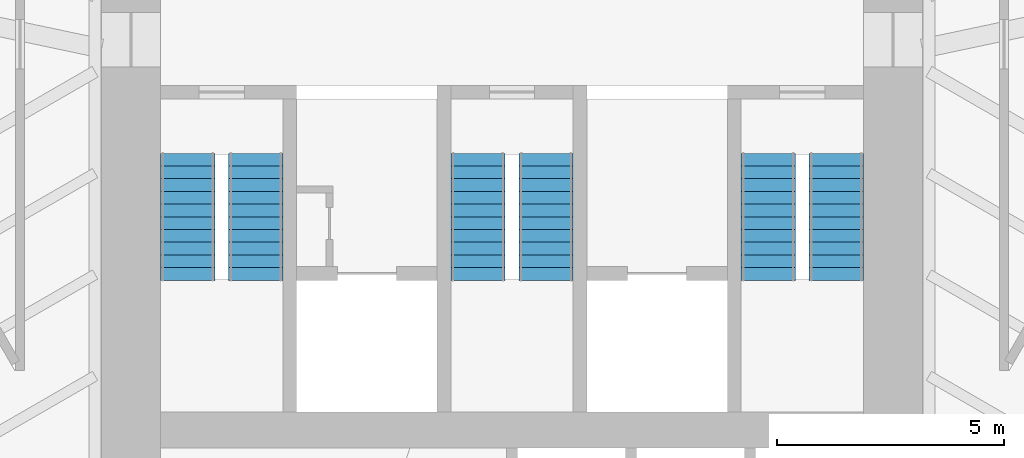
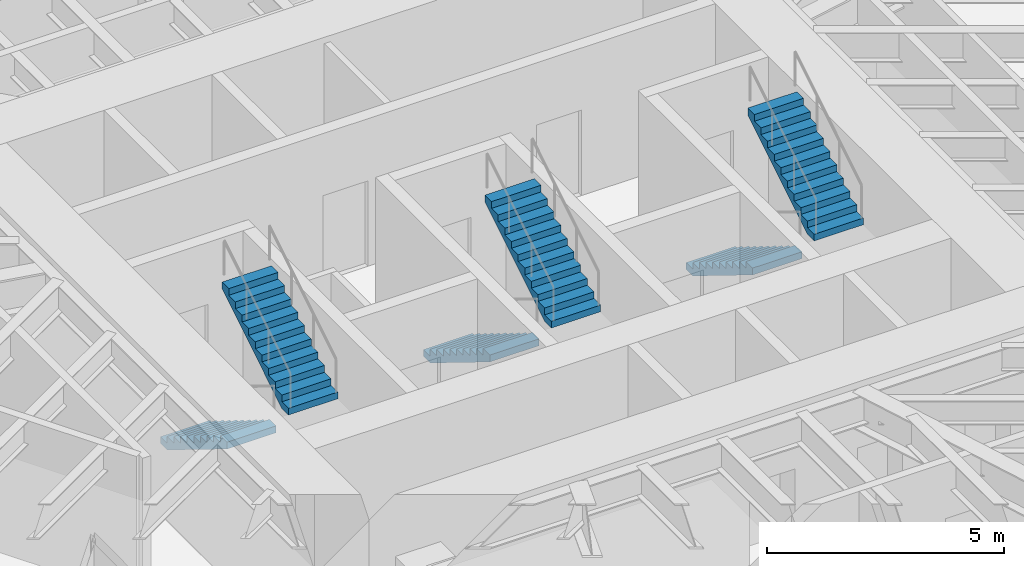
# One storey, part 17 of 18: 6 stair flights, 3 elements without a shape of their own.
"""IFC4 building model written with IfcOpenShell, lengths in metres."""

from ifc_helpers import new_model, si_unit, direction, frame, origin, place, context, subcontext, project, spatial, polyline, outline, extrude, material, type_object, element, aggregate, save


model = new_model("IFC4")

# Units and contexts
model_context = context("Model", 3, precision=1e-05, world=origin(), true_north=direction((0.0, 1.0)))
body_context = subcontext(model_context, "Body", "Model", "MODEL_VIEW")
ifc_project = project(units=[si_unit("LENGTHUNIT", "METRE"), si_unit("AREAUNIT", "SQUARE_METRE"), si_unit("VOLUMEUNIT", "CUBIC_METRE"), si_unit("PLANEANGLEUNIT", "RADIAN"), si_unit("MASSUNIT", "GRAM", prefix="KILO")], contexts=[model_context])

# Site, building, storey
site_placement = place(None, origin())
site = spatial("IfcSite", under=ifc_project, at=site_placement, CompositionType="ELEMENT")
building_placement = place(site_placement, origin())
building = spatial("IfcBuilding", under=site, at=building_placement, Name="Sandreach Pilgrim Tower", CompositionType="ELEMENT")
storey_placement = place(building_placement, frame((0.0, 0.0, 153.800048828125)))
storey = spatial("IfcBuildingStorey", under=building, at=storey_placement, Name="L38", CompositionType="ELEMENT", Elevation=153.800048828125)

# Stair, stair flights
ifc_material_1 = material(Name="Concrete 8000 psi", Category="concrete")
stair_type = type_object("IfcStairType", Name="Core exit stair", PredefinedType="HALF_TURN_STAIR", material=ifc_material_1)
stair_1_placement = place(storey_placement, origin())
stair_1 = element("IfcStair", 1, at=stair_1_placement, inside=storey, type_object=stair_type, Name="Exit stair ST1 L38", PredefinedType="HALF_TURN_STAIR")
ifc_material_2 = material(Name="Concrete 8000 psi", Category="concrete")
stair_flight_type = type_object("IfcStairFlightType", Name="Core stair flight 1200", PredefinedType="STRAIGHT", material=ifc_material_2)
stair_flight_1_placement = place(storey_placement, frame((-7.14990234375, -0.39990234375, 0.0), z_axis=(0.0, 0.0, 1.0), x_axis=(0.0, -1.0, 0.0)))
stair_flight_1 = element("IfcStairFlight", 2, at=stair_flight_1_placement, type_object=stair_flight_type, Name="ST1 flight 1", NumberOfRisers=11, NumberOfTreads=10, PredefinedType="STRAIGHT", RiserHeight=0.172727273, TreadLength=0.28, context=body_context, shape_type="SweptSolid", body=[
    extrude(outline(polyline([(0.0, 0.0), (0.0, 0.172607421875), (0.280029296875, 0.172607421875), (0.280029296875, 0.345458984375), (0.56005859375, 0.345458984375), (0.56005859375, 0.51806640625), (0.840087890625, 0.51806640625), (0.840087890625, 0.69091796875), (1.1201171875, 0.69091796875), (1.1201171875, 0.863525390625), (1.39990234375, 0.863525390625), (1.39990234375, 1.036376953125), (1.679931640625, 1.036376953125), (1.679931640625, 1.208984375), (1.9599609375, 1.208984375), (1.9599609375, 1.3818359375), (2.239990234375, 1.3818359375), (2.239990234375, 1.554443359375), (2.52001953125, 1.554443359375), (2.52001953125, 1.727294921875), (2.800048828125, 1.727294921875), (2.800048828125, 1.89990234375), (2.800048828125, 1.551025390625), (0.285400390625, 0.0), (0.0, 0.0)])), frame((0.0, 0.60009765625, 0.0), z_axis=(0.0, -1.0, 0.0), x_axis=(1.0, 0.0, 0.0)), (0.0, 0.0, 1.0), 1.199951171875),
])
stair_flight_2_placement = place(storey_placement, frame((-5.64990234375, -3.199951171875, 1.89990234375), z_axis=(0.0, 0.0, 1.0), x_axis=(0.0, 1.0, 0.0)))
stair_flight_2 = element("IfcStairFlight", 3, at=stair_flight_2_placement, type_object=stair_flight_type, Name="ST1 flight 2", NumberOfRisers=11, NumberOfTreads=10, PredefinedType="STRAIGHT", RiserHeight=0.172727273, TreadLength=0.28, context=body_context, shape_type="SweptSolid", body=[
    extrude(outline(polyline([(0.0, 0.0), (0.0, 0.172607421875), (0.280029296875, 0.172607421875), (0.280029296875, 0.345458984375), (0.56005859375, 0.345458984375), (0.56005859375, 0.51806640625), (0.840087890625, 0.51806640625), (0.840087890625, 0.69091796875), (1.1201171875, 0.69091796875), (1.1201171875, 0.863525390625), (1.39990234375, 0.863525390625), (1.39990234375, 1.036376953125), (1.679931640625, 1.036376953125), (1.679931640625, 1.208984375), (1.9599609375, 1.208984375), (1.9599609375, 1.3818359375), (2.239990234375, 1.3818359375), (2.239990234375, 1.554443359375), (2.52001953125, 1.554443359375), (2.52001953125, 1.727294921875), (2.800048828125, 1.727294921875), (2.800048828125, 1.89990234375), (2.800048828125, 1.551025390625), (0.285400390625, 0.0), (0.0, 0.0)])), frame((0.0, 0.60009765625, 0.0), z_axis=(0.0, -1.0, 0.0), x_axis=(1.0, 0.0, 0.0)), (0.0, 0.0, 1.0), 1.199951171875),
])
aggregate(stair_1, [stair_flight_1, stair_flight_2])

stair_2_placement = place(storey_placement, origin())
stair_2 = element("IfcStair", 4, at=stair_2_placement, inside=storey, type_object=stair_type, Name="Exit stair ST3 L38", PredefinedType="HALF_TURN_STAIR")
stair_flight_3_placement = place(storey_placement, frame((-0.75, -0.39990234375, 0.0), z_axis=(0.0, 0.0, 1.0), x_axis=(0.0, -1.0, 0.0)))
stair_flight_3 = element("IfcStairFlight", 5, at=stair_flight_3_placement, type_object=stair_flight_type, Name="ST3 flight 1", NumberOfRisers=11, NumberOfTreads=10, PredefinedType="STRAIGHT", RiserHeight=0.172727273, TreadLength=0.28, context=body_context, shape_type="SweptSolid", body=[
    extrude(outline(polyline([(0.0, 0.0), (0.0, 0.172607421875), (0.280029296875, 0.172607421875), (0.280029296875, 0.345458984375), (0.56005859375, 0.345458984375), (0.56005859375, 0.51806640625), (0.840087890625, 0.51806640625), (0.840087890625, 0.69091796875), (1.1201171875, 0.69091796875), (1.1201171875, 0.863525390625), (1.39990234375, 0.863525390625), (1.39990234375, 1.036376953125), (1.679931640625, 1.036376953125), (1.679931640625, 1.208984375), (1.9599609375, 1.208984375), (1.9599609375, 1.3818359375), (2.239990234375, 1.3818359375), (2.239990234375, 1.554443359375), (2.52001953125, 1.554443359375), (2.52001953125, 1.727294921875), (2.800048828125, 1.727294921875), (2.800048828125, 1.89990234375), (2.800048828125, 1.551025390625), (0.285400390625, 0.0), (0.0, 0.0)])), frame((0.0, 0.60009765625, 0.0), z_axis=(0.0, -1.0, 0.0), x_axis=(1.0, 0.0, 0.0)), (0.0, 0.0, 1.0), 1.199951171875),
])
stair_flight_4_placement = place(storey_placement, frame((0.75, -3.199951171875, 1.89990234375), z_axis=(0.0, 0.0, 1.0), x_axis=(0.0, 1.0, 0.0)))
stair_flight_4 = element("IfcStairFlight", 6, at=stair_flight_4_placement, type_object=stair_flight_type, Name="ST3 flight 2", NumberOfRisers=11, NumberOfTreads=10, PredefinedType="STRAIGHT", RiserHeight=0.172727273, TreadLength=0.28, context=body_context, shape_type="SweptSolid", body=[
    extrude(outline(polyline([(0.0, 0.0), (0.0, 0.172607421875), (0.280029296875, 0.172607421875), (0.280029296875, 0.345458984375), (0.56005859375, 0.345458984375), (0.56005859375, 0.51806640625), (0.840087890625, 0.51806640625), (0.840087890625, 0.69091796875), (1.1201171875, 0.69091796875), (1.1201171875, 0.863525390625), (1.39990234375, 0.863525390625), (1.39990234375, 1.036376953125), (1.679931640625, 1.036376953125), (1.679931640625, 1.208984375), (1.9599609375, 1.208984375), (1.9599609375, 1.3818359375), (2.239990234375, 1.3818359375), (2.239990234375, 1.554443359375), (2.52001953125, 1.554443359375), (2.52001953125, 1.727294921875), (2.800048828125, 1.727294921875), (2.800048828125, 1.89990234375), (2.800048828125, 1.551025390625), (0.285400390625, 0.0), (0.0, 0.0)])), frame((0.0, 0.60009765625, 0.0), z_axis=(0.0, -1.0, 0.0), x_axis=(1.0, 0.0, 0.0)), (0.0, 0.0, 1.0), 1.199951171875),
])
aggregate(stair_2, [stair_flight_3, stair_flight_4])

stair_3_placement = place(storey_placement, origin())
stair_3 = element("IfcStair", 7, at=stair_3_placement, inside=storey, type_object=stair_type, Name="Exit stair ST2 L38", PredefinedType="HALF_TURN_STAIR")
stair_flight_5_placement = place(storey_placement, frame((5.64990234375, -0.39990234375, 0.0), z_axis=(0.0, 0.0, 1.0), x_axis=(0.0, -1.0, 0.0)))
stair_flight_5 = element("IfcStairFlight", 8, at=stair_flight_5_placement, type_object=stair_flight_type, Name="ST2 flight 1", NumberOfRisers=11, NumberOfTreads=10, PredefinedType="STRAIGHT", RiserHeight=0.172727273, TreadLength=0.28, context=body_context, shape_type="SweptSolid", body=[
    extrude(outline(polyline([(0.0, 0.0), (0.0, 0.172607421875), (0.280029296875, 0.172607421875), (0.280029296875, 0.345458984375), (0.56005859375, 0.345458984375), (0.56005859375, 0.51806640625), (0.840087890625, 0.51806640625), (0.840087890625, 0.69091796875), (1.1201171875, 0.69091796875), (1.1201171875, 0.863525390625), (1.39990234375, 0.863525390625), (1.39990234375, 1.036376953125), (1.679931640625, 1.036376953125), (1.679931640625, 1.208984375), (1.9599609375, 1.208984375), (1.9599609375, 1.3818359375), (2.239990234375, 1.3818359375), (2.239990234375, 1.554443359375), (2.52001953125, 1.554443359375), (2.52001953125, 1.727294921875), (2.800048828125, 1.727294921875), (2.800048828125, 1.89990234375), (2.800048828125, 1.551025390625), (0.285400390625, 0.0), (0.0, 0.0)])), frame((0.0, 0.60009765625, 0.0), z_axis=(0.0, -1.0, 0.0), x_axis=(1.0, 0.0, 0.0)), (0.0, 0.0, 1.0), 1.199951171875),
])
stair_flight_6_placement = place(storey_placement, frame((7.14990234375, -3.199951171875, 1.89990234375), z_axis=(0.0, 0.0, 1.0), x_axis=(0.0, 1.0, 0.0)))
stair_flight_6 = element("IfcStairFlight", 9, at=stair_flight_6_placement, type_object=stair_flight_type, Name="ST2 flight 2", NumberOfRisers=11, NumberOfTreads=10, PredefinedType="STRAIGHT", RiserHeight=0.172727273, TreadLength=0.28, context=body_context, shape_type="SweptSolid", body=[
    extrude(outline(polyline([(0.0, 0.0), (0.0, 0.172607421875), (0.280029296875, 0.172607421875), (0.280029296875, 0.345458984375), (0.56005859375, 0.345458984375), (0.56005859375, 0.51806640625), (0.840087890625, 0.51806640625), (0.840087890625, 0.69091796875), (1.1201171875, 0.69091796875), (1.1201171875, 0.863525390625), (1.39990234375, 0.863525390625), (1.39990234375, 1.036376953125), (1.679931640625, 1.036376953125), (1.679931640625, 1.208984375), (1.9599609375, 1.208984375), (1.9599609375, 1.3818359375), (2.239990234375, 1.3818359375), (2.239990234375, 1.554443359375), (2.52001953125, 1.554443359375), (2.52001953125, 1.727294921875), (2.800048828125, 1.727294921875), (2.800048828125, 1.89990234375), (2.800048828125, 1.551025390625), (0.285400390625, 0.0), (0.0, 0.0)])), frame((0.0, 0.60009765625, 0.0), z_axis=(0.0, -1.0, 0.0), x_axis=(1.0, 0.0, 0.0)), (0.0, 0.0, 1.0), 1.199951171875),
])
aggregate(stair_3, [stair_flight_5, stair_flight_6])

save(model, "model.ifc")
